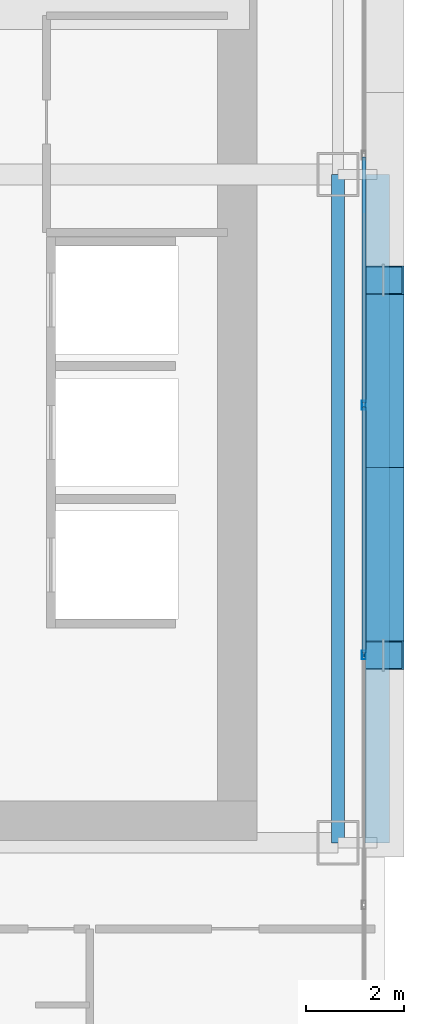
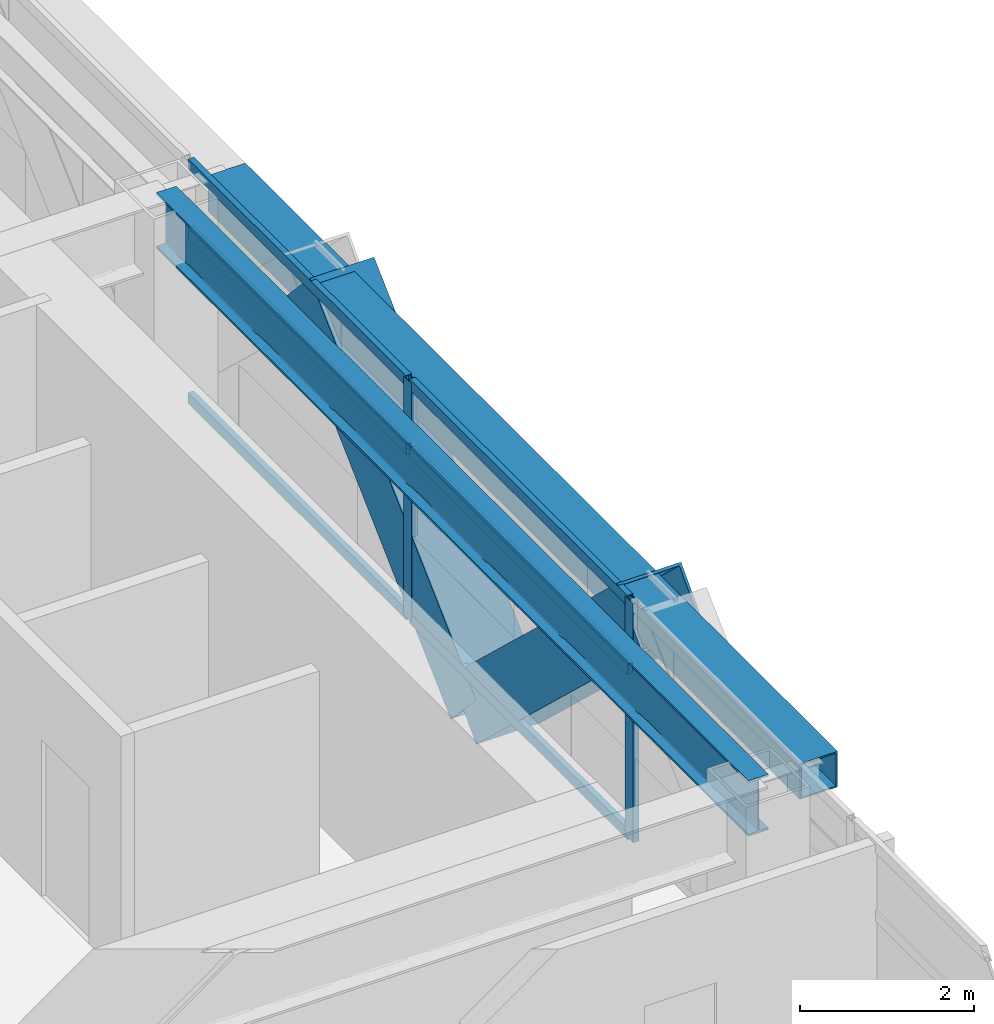
# One storey, part 13 of 35: 10 members, 2 beams, 1 element without a shape of its own.
"""IFC4 building model written with IfcOpenShell, lengths in metres."""

from ifc_helpers import new_model, si_unit, direction, frame, origin, origin_2d, place, context, subcontext, project, spatial, hollow_rectangle, i_section, extrude, source, transform, mapped, material, layer, layer_set, material_profile, profile_set, type_object, element, aggregate, save


model = new_model("IFC4")

# Units and contexts
model_context = context("Model", 3, precision=1e-05, world=origin(), true_north=direction((0.0, 1.0)))
body_context = subcontext(model_context, "Body", "Model", "MODEL_VIEW")
ifc_project = project(units=[si_unit("LENGTHUNIT", "METRE"), si_unit("AREAUNIT", "SQUARE_METRE"), si_unit("VOLUMEUNIT", "CUBIC_METRE"), si_unit("PLANEANGLEUNIT", "RADIAN"), si_unit("MASSUNIT", "GRAM", prefix="KILO")], contexts=[model_context])

# Site, building, storey
site_placement = place(None, origin())
site = spatial("IfcSite", under=ifc_project, at=site_placement, CompositionType="ELEMENT")
building_placement = place(site_placement, origin())
building = spatial("IfcBuilding", under=site, at=building_placement, Name="Ocotamira Hotel", CompositionType="ELEMENT")
storey_placement = place(building_placement, frame((0.0, 0.0, 56.39990234375)))
storey = spatial("IfcBuildingStorey", under=building, at=storey_placement, Name="L13", CompositionType="ELEMENT", Elevation=56.39990234375)

# Beams
ifc_material_1 = material(Name="Steel ASTM A992 Grade 50", Category="steel")
ifc_material_profile_1 = material_profile(ifc_material_1, i_section(OverallWidth=0.26611328125, OverallDepth=0.779052734375, WebThickness=0.0166015625, FlangeThickness=0.030029296875, FilletRadius=0.01806640625, at=origin_2d()), Name="W30X148")
ifc_profile_set_1 = profile_set([ifc_material_profile_1], Name="Steel ASTM A992 Grade 50")
beam_type_1 = type_object("IfcBeamType", Name="BM-GIRD-W30X148", PredefinedType="BEAM", material=ifc_profile_set_1)
shared_shape_1 = source(origin(), body_context, "Body", "SweptSolid", [
    extrude(i_section(OverallWidth=0.26611328125, OverallDepth=0.779052734375, WebThickness=0.0166015625, FlangeThickness=0.030029296875, FilletRadius=0.01806640625, at=origin_2d()), origin(), (0.0, 0.0, 1.0), 13.599853515625),
])
beam_1_placement = place(storey_placement, frame((55.050048828125, 14.550048828125, 2.960693359375), z_axis=(0.0, 1.0, 0.0), x_axis=(-1.0, 0.0, 0.0)))
element("IfcBeam", 1, at=beam_1_placement, inside=storey, type_object=beam_type_1, Name="L13 Beam X55.05 Y14.55-28.15", PredefinedType="BEAM", context=body_context, shape_type="MappedRepresentation", body=[
    mapped(shared_shape_1, transform((0.0, 0.0, 0.0), scale=1.0)),
])
ifc_material_2 = material(Name="Steel ASTM A500 Grade C", Category="steel")
ifc_material_profile_2 = material_profile(ifc_material_2, hollow_rectangle(XDim=0.5, YDim=0.5, WallThickness=0.02001953125, at=origin_2d()), Name="HSS500X500X20")
ifc_profile_set_2 = profile_set([ifc_material_profile_2], Name="Steel ASTM A500 Grade C")
beam_type_2 = type_object("IfcBeamType", Name="BM-SPAN-HSS500", PredefinedType="USERDEFINED", material=ifc_profile_set_2)
shared_shape_2 = source(origin(), body_context, "Body", "SweptSolid", [
    extrude(hollow_rectangle(XDim=0.5, YDim=0.5, WallThickness=0.02001953125, at=origin_2d()), origin(), (0.0, 0.0, 1.0), 13.599853515625),
])
beam_2_placement = place(storey_placement, frame((55.85009765625, 14.550048828125, 3.10009765625), z_axis=(0.0, 1.0, 0.0), x_axis=(-1.0, 0.0, 0.0)))
element("IfcBeam", 2, at=beam_2_placement, inside=storey, type_object=beam_type_2, Name="L13 Edge Spandrel E Y14.55-28.15", ObjectType="SPANDREL", PredefinedType="USERDEFINED", context=body_context, shape_type="MappedRepresentation", body=[
    mapped(shared_shape_2, transform((0.0, 0.0, 0.0), scale=1.0)),
])

# Members
ifc_material_3 = material(Name="Pale-metal coated steel ASTM A913 Grade 65", Category="steel")
ifc_material_profile_3 = material_profile(ifc_material_3, hollow_rectangle(XDim=0.85009765625, YDim=0.85009765625, WallThickness=0.035888671875, at=origin_2d()), Name="BOX850X850X36")
ifc_profile_set_3 = profile_set([ifc_material_profile_3], Name="Pale-metal coated steel ASTM A913 Grade 65")
member_type_1 = type_object("IfcMemberType", Name="MEM-EXO-BOX850", PredefinedType="BRACE", material=ifc_profile_set_3)
shared_shape_3 = source(origin(), body_context, "Body", "SweptSolid", [
    extrude(hollow_rectangle(XDim=0.85009765625, YDim=0.85009765625, WallThickness=0.035888671875, at=origin_2d()), origin(), (0.0, 0.0, 1.0), 5.24658203125),
])
for number, where, z_axis, x_axis, name in (
    (3, (55.969970703125, 22.183349609375, -0.5), (0.0, -0.727442733726, 0.686168397078), (1.0, 0.0, 0.0), "L13 Exoskeleton Diagrid E0.2"),
    (4, (55.969970703125, 22.183349609375, -0.5), (0.0, 0.727442733726, 0.686168397078), (-1.0, 0.0, 0.0), "L13 Exoskeleton Diagrid E1.1"),
):
    element("IfcMember", number, at=place(storey_placement, frame(where, z_axis=z_axis, x_axis=x_axis)), inside=storey, type_object=member_type_1, Name=name, PredefinedType="BRACE", context=body_context, shape_type="MappedRepresentation", body=[
        mapped(shared_shape_3, transform((0.0, 0.0, 0.0), scale=1.0)),
    ])

# Curtain wall, members
ifc_material_4 = material(Name="Anodised pale-metal aluminium and solar glass", Category="aluminium")
ifc_layer = layer(ifc_material_4, 0.179931640625)
ifc_layer_set = layer_set([ifc_layer], Name="Anodised pale-metal aluminium and solar glass")
curtain_wall_type = type_object("IfcCurtainWallType", Name="CW-SYS2-Z1", PredefinedType="NOTDEFINED", material=ifc_layer_set)
curtain_wall_placement = place(storey_placement, origin())
curtain_wall = element("IfcCurtainWall", 5, at=curtain_wall_placement, inside=storey, type_object=curtain_wall_type, Name="L13 Curtain Wall CW-2 CW-L13-E", PredefinedType="NOTDEFINED")
ifc_material_5 = material(Name="Anodised pale-metal aluminium 6063-T6", Category="aluminium")
ifc_material_profile_4 = material_profile(ifc_material_5, hollow_rectangle(XDim=0.074951171875, YDim=0.14990234375, WallThickness=0.006103515625, at=origin_2d()), Name="HSS150X75X6")
ifc_profile_set_4 = profile_set([ifc_material_profile_4], Name="Anodised pale-metal aluminium 6063-T6")
member_type_2 = type_object("IfcMemberType", Name="CWT-150X75", PredefinedType="USERDEFINED", material=ifc_profile_set_4)
shared_shape_4 = source(origin(), body_context, "Body", "SweptSolid", [
    extrude(hollow_rectangle(XDim=0.074951171875, YDim=0.14990234375, WallThickness=0.006103515625, at=origin_2d()), origin(), (0.0, 0.0, 1.0), 5.005859375),
])
member_1_placement = place(storey_placement, frame((55.580078125, 18.411376953125, 0.03759765625), z_axis=(0.0, 1.0, 0.0), x_axis=(-1.0, 0.0, 0.0)))
member_1 = element("IfcMember", 6, at=member_1_placement, type_object=member_type_2, Name="CW-2 transom 3.1", ObjectType="TRANSOM", PredefinedType="USERDEFINED", context=body_context, shape_type="MappedRepresentation", body=[
    mapped(shared_shape_4, transform((0.0, 0.0, 0.0), scale=1.0)),
])
member_2_placement = place(storey_placement, frame((55.580078125, 18.411376953125, 2.35009765625), z_axis=(0.0, 1.0, 0.0), x_axis=(-1.0, 0.0, 0.0)))
member_2 = element("IfcMember", 7, at=member_2_placement, type_object=member_type_2, Name="CW-2 transom 3.2", ObjectType="TRANSOM", PredefinedType="USERDEFINED", context=body_context, shape_type="MappedRepresentation", body=[
    mapped(shared_shape_4, transform((0.0, 0.0, 0.0), scale=1.0)),
])
member_3_placement = place(storey_placement, frame((55.580078125, 18.411376953125, 3.3125), z_axis=(0.0, 1.0, 0.0), x_axis=(-1.0, 0.0, 0.0)))
member_3 = element("IfcMember", 8, at=member_3_placement, type_object=member_type_2, Name="CW-2 transom 3.3", ObjectType="TRANSOM", PredefinedType="USERDEFINED", context=body_context, shape_type="MappedRepresentation", body=[
    mapped(shared_shape_4, transform((0.0, 0.0, 0.0), scale=1.0)),
])
member_4_placement = place(storey_placement, frame((55.580078125, 23.4970703125, 0.03759765625), z_axis=(0.0, 1.0, 0.0), x_axis=(-1.0, 0.0, 0.0)))
member_4 = element("IfcMember", 9, at=member_4_placement, type_object=member_type_2, Name="CW-2 transom 4.1", ObjectType="TRANSOM", PredefinedType="USERDEFINED", context=body_context, shape_type="MappedRepresentation", body=[
    mapped(shared_shape_4, transform((0.0, 0.0, 0.0), scale=1.0)),
])
member_5_placement = place(storey_placement, frame((55.580078125, 23.4970703125, 2.35009765625), z_axis=(0.0, 1.0, 0.0), x_axis=(-1.0, 0.0, 0.0)))
member_5 = element("IfcMember", 10, at=member_5_placement, type_object=member_type_2, Name="CW-2 transom 4.2", ObjectType="TRANSOM", PredefinedType="USERDEFINED", context=body_context, shape_type="MappedRepresentation", body=[
    mapped(shared_shape_4, transform((0.0, 0.0, 0.0), scale=1.0)),
])
member_6_placement = place(storey_placement, frame((55.580078125, 23.4970703125, 3.3125), z_axis=(0.0, 1.0, 0.0), x_axis=(-1.0, 0.0, 0.0)))
member_6 = element("IfcMember", 11, at=member_6_placement, type_object=member_type_2, Name="CW-2 transom 4.3", ObjectType="TRANSOM", PredefinedType="USERDEFINED", context=body_context, shape_type="MappedRepresentation", body=[
    mapped(shared_shape_4, transform((0.0, 0.0, 0.0), scale=1.0)),
])
ifc_material_profile_5 = material_profile(ifc_material_5, hollow_rectangle(XDim=0.080078125, YDim=0.179931640625, WallThickness=0.006103515625, at=origin_2d()), Name="HSS180X80X6")
ifc_profile_set_5 = profile_set([ifc_material_profile_5], Name="Anodised pale-metal aluminium 6063-T6")
member_type_3 = type_object("IfcMemberType", Name="CWM-180X75", PredefinedType="MULLION", material=ifc_profile_set_5)
shared_shape_5 = source(origin(), body_context, "Body", "SweptSolid", [
    extrude(hollow_rectangle(XDim=0.080078125, YDim=0.179931640625, WallThickness=0.006103515625, at=origin_2d()), origin(), (0.0, 0.0, 1.0), 3.35009765625),
])
member_7_placement = place(storey_placement, frame((55.580078125, 18.371337890625, 0.0), z_axis=(0.0, 0.0, 1.0), x_axis=(-1.0, 0.0, 0.0)))
member_7 = element("IfcMember", 12, at=member_7_placement, type_object=member_type_3, Name="CW-2 mullion 3", PredefinedType="MULLION", context=body_context, shape_type="MappedRepresentation", body=[
    mapped(shared_shape_5, transform((0.0, 0.0, 0.0), scale=1.0)),
])
member_8_placement = place(storey_placement, frame((55.580078125, 23.45703125, 0.0), z_axis=(0.0, 0.0, 1.0), x_axis=(-1.0, 0.0, 0.0)))
member_8 = element("IfcMember", 13, at=member_8_placement, type_object=member_type_3, Name="CW-2 mullion 4", PredefinedType="MULLION", context=body_context, shape_type="MappedRepresentation", body=[
    mapped(shared_shape_5, transform((0.0, 0.0, 0.0), scale=1.0)),
])
aggregate(curtain_wall, [member_7, member_8, member_1, member_2, member_3, member_4, member_5, member_6])

save(model, "model.ifc")
